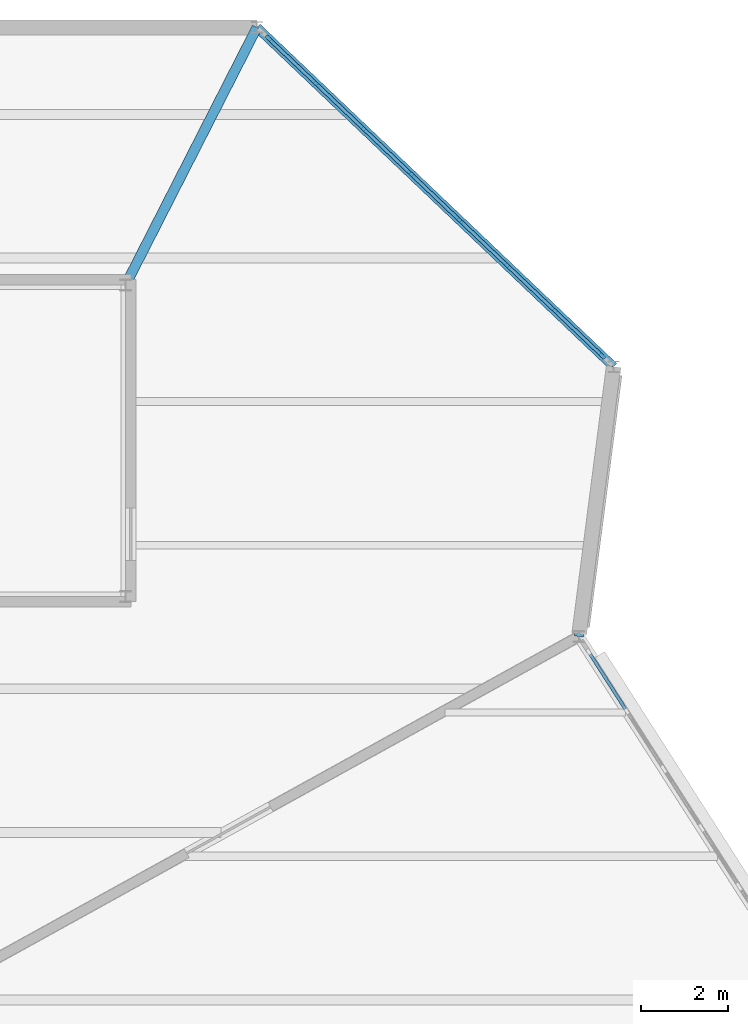
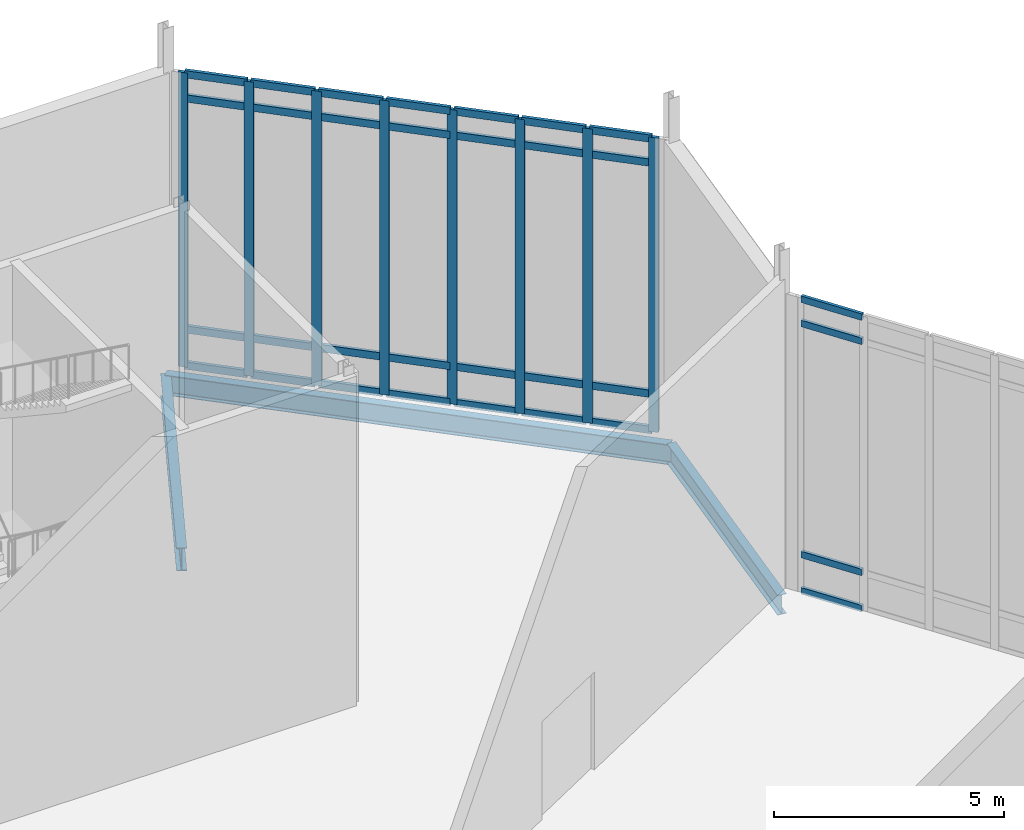
# One storey, part 39 of 66: 40 members, 3 beams, 2 elements without a shape of their own.
"""IFC4 building model written with IfcOpenShell, lengths in metres."""

from ifc_helpers import new_model, si_unit, direction, frame, origin, origin_2d, place, context, subcontext, project, spatial, rectangle, i_section, extrude, material, material_profile, profile_set, type_object, element, aggregate, save


model = new_model("IFC4")

# Units and contexts
model_context = context("Model", 3, precision=1e-05, world=origin(), true_north=direction((0.0, 1.0)))
body_context = subcontext(model_context, "Body", "Model", "MODEL_VIEW")
ifc_project = project(units=[si_unit("LENGTHUNIT", "METRE"), si_unit("AREAUNIT", "SQUARE_METRE"), si_unit("VOLUMEUNIT", "CUBIC_METRE"), si_unit("PLANEANGLEUNIT", "RADIAN"), si_unit("MASSUNIT", "GRAM", prefix="KILO")], contexts=[model_context])

# Site, building, storey
site_placement = place(None, origin())
site = spatial("IfcSite", under=ifc_project, at=site_placement, CompositionType="ELEMENT")
building_placement = place(site_placement, origin())
building = spatial("IfcBuilding", under=site, at=building_placement, Name="Tameran Prism Museum", CompositionType="ELEMENT")
storey_placement = place(building_placement, frame((0.0, 0.0, 19.800048828125)))
storey = spatial("IfcBuildingStorey", under=building, at=storey_placement, Name="L04", CompositionType="ELEMENT", Elevation=19.800048828125)

# Beams
ifc_material_1 = material(Name="Steel Grade 300PLUS (300 MPa)", Category="steel")
ifc_material_profile_1 = material_profile(ifc_material_1, i_section(OverallWidth=0.208984375, OverallDepth=0.532958984375, WebThickness=0.01025390625, FlangeThickness=0.015625, FilletRadius=0.013916015625, at=origin_2d()))
ifc_profile_set_1 = profile_set([ifc_material_profile_1])
beam_type_1 = type_object("IfcBeamType", Name="BM-SP530A", PredefinedType="SPANDREL", material=ifc_profile_set_1)
beam_1_placement = place(storey_placement, frame((135.699951171875, 104.199951171875, -0.506591796875), z_axis=(-0.724553857676, 0.689218185575, 0.0), x_axis=(-0.689218185575, -0.724553857676, 0.0)))
element("IfcBeam", 1, at=beam_1_placement, inside=storey, type_object=beam_type_1, Name="Perimeter Spandrel SP-1151", PredefinedType="SPANDREL", context=body_context, shape_type="SweptSolid", body=[
    extrude(i_section(OverallWidth=0.208984375, OverallDepth=0.532958984375, WebThickness=0.01025390625, FlangeThickness=0.015625, FilletRadius=0.013916015625, at=origin_2d()), origin(), (0.0, 0.0, 1.0), 11.317138671875),
])
ifc_material_2 = material(Name="Steel Grade 300PLUS (300 MPa)", Category="steel")
ifc_material_profile_2 = material_profile(ifc_material_2, i_section(OverallWidth=0.208984375, OverallDepth=0.528076171875, WebThickness=0.009521484375, FlangeThickness=0.01318359375, FilletRadius=0.013916015625, at=origin_2d()))
ifc_profile_set_2 = profile_set([ifc_material_profile_2])
beam_type_2 = type_object("IfcBeamType", Name="BM-SP530B", PredefinedType="SPANDREL", material=ifc_profile_set_2)
beam_2_placement = place(storey_placement, frame((134.89990234375, 98.0, -0.504150390625), z_axis=(0.127980011854, 0.991776747341, 0.0), x_axis=(-0.991776747341, 0.127980011854, 0.0)))
element("IfcBeam", 2, at=beam_2_placement, inside=storey, type_object=beam_type_2, Name="Perimeter Spandrel SP-1150", PredefinedType="SPANDREL", context=body_context, shape_type="SweptSolid", body=[
    extrude(i_section(OverallWidth=0.208984375, OverallDepth=0.528076171875, WebThickness=0.009521484375, FlangeThickness=0.01318359375, FilletRadius=0.013916015625, at=origin_2d()), origin(), (0.0, 0.0, 1.0), 6.25146484375),
])
ifc_material_3 = material(Name="Steel Grade 300PLUS (300 MPa)", Category="steel")
ifc_material_profile_3 = material_profile(ifc_material_3, i_section(OverallWidth=0.22900390625, OverallDepth=0.612060546875, WebThickness=0.011962890625, FlangeThickness=0.01953125, FilletRadius=0.013916015625, at=origin_2d()))
ifc_profile_set_3 = profile_set([ifc_material_profile_3])
beam_type_3 = type_object("IfcBeamType", Name="BM-UB610A", PredefinedType="BEAM", material=ifc_profile_set_3)
beam_3_placement = place(storey_placement, frame((124.47998046875, 106.080078125, -0.56005859375), z_axis=(0.454428700182, 0.890783114148, 0.0), x_axis=(-0.890783114148, 0.454428700182, 0.0)))
element("IfcBeam", 3, at=beam_3_placement, inside=storey, type_object=beam_type_3, Name="Frame Tie Girder FG-1402", PredefinedType="BEAM", context=body_context, shape_type="SweptSolid", body=[
    extrude(i_section(OverallWidth=0.22900390625, OverallDepth=0.612060546875, WebThickness=0.011962890625, FlangeThickness=0.01953125, FilletRadius=0.013916015625, at=origin_2d()), origin(), (0.0, 0.0, 1.0), 6.645751953125),
])

# Curtain wall, members
ifc_material_4 = material(Name="Anodised Aluminium 6063-T6 and Cyclone Solar Glass", Category="aluminium")
curtain_wall_type_1 = type_object("IfcCurtainWallType", Name="CW-FAC-1062x782", PredefinedType="USERDEFINED", material=ifc_material_4)
curtain_wall_1_placement = place(storey_placement, origin())
curtain_wall_1 = element("IfcCurtainWall", 4, at=curtain_wall_1_placement, inside=storey, type_object=curtain_wall_type_1, Name="Unitised Curtain Wall CW-154", ObjectType="UNITISED CURTAIN WALL", PredefinedType="USERDEFINED")
ifc_material_5 = material(Name="Anodised Aluminium Alloy 6063-T6", Category="aluminium")
ifc_material_profile_4 = material_profile(ifc_material_5, rectangle(XDim=0.080078125, YDim=0.219970703125, at=origin_2d()))
ifc_profile_set_4 = profile_set([ifc_material_profile_4])
member_type_1 = type_object("IfcMemberType", Name="CW-MUL-D", PredefinedType="MULLION", material=ifc_profile_set_4)
member_1_placement = place(storey_placement, frame((127.782958984375, 111.7314453125, 0.0), z_axis=(0.0, 0.0, 1.0), x_axis=(0.689274065662, 0.724500698692, 0.0)))
member_1 = element("IfcMember", 5, at=member_1_placement, type_object=member_type_1, Name="CW-154 mullion 1", PredefinedType="MULLION", context=body_context, shape_type="SweptSolid", body=[
    extrude(rectangle(XDim=0.080078125, YDim=0.219970703125, at=origin_2d()), origin(), (0.0, 0.0, 1.0), 7.820068359375),
])
member_2_placement = place(storey_placement, frame((128.852783203125, 110.713623046875, 0.0), z_axis=(0.0, 0.0, 1.0), x_axis=(0.689274065662, 0.724500698692, 0.0)))
member_2 = element("IfcMember", 6, at=member_2_placement, type_object=member_type_1, Name="CW-154 mullion 2", PredefinedType="MULLION", context=body_context, shape_type="SweptSolid", body=[
    extrude(rectangle(XDim=0.080078125, YDim=0.219970703125, at=origin_2d()), origin(), (0.0, 0.0, 1.0), 7.820068359375),
])
member_3_placement = place(storey_placement, frame((129.95166015625, 109.668212890625, 0.0), z_axis=(0.0, 0.0, 1.0), x_axis=(0.689274065662, 0.724500698692, 0.0)))
member_3 = element("IfcMember", 7, at=member_3_placement, type_object=member_type_1, Name="CW-154 mullion 3", PredefinedType="MULLION", context=body_context, shape_type="SweptSolid", body=[
    extrude(rectangle(XDim=0.080078125, YDim=0.219970703125, at=origin_2d()), origin(), (0.0, 0.0, 1.0), 7.820068359375),
])
member_4_placement = place(storey_placement, frame((131.050537109375, 108.622802734375, 0.0), z_axis=(0.0, 0.0, 1.0), x_axis=(0.689274065662, 0.724500698692, 0.0)))
member_4 = element("IfcMember", 8, at=member_4_placement, type_object=member_type_1, Name="CW-154 mullion 4", PredefinedType="MULLION", context=body_context, shape_type="SweptSolid", body=[
    extrude(rectangle(XDim=0.080078125, YDim=0.219970703125, at=origin_2d()), origin(), (0.0, 0.0, 1.0), 7.820068359375),
])
member_5_placement = place(storey_placement, frame((132.1494140625, 107.577392578125, 0.0), z_axis=(0.0, 0.0, 1.0), x_axis=(0.689274065662, 0.724500698692, 0.0)))
member_5 = element("IfcMember", 9, at=member_5_placement, type_object=member_type_1, Name="CW-154 mullion 5", PredefinedType="MULLION", context=body_context, shape_type="SweptSolid", body=[
    extrude(rectangle(XDim=0.080078125, YDim=0.219970703125, at=origin_2d()), origin(), (0.0, 0.0, 1.0), 7.820068359375),
])
member_6_placement = place(storey_placement, frame((133.248291015625, 106.53173828125, 0.0), z_axis=(0.0, 0.0, 1.0), x_axis=(0.689274065662, 0.724500698692, 0.0)))
member_6 = element("IfcMember", 10, at=member_6_placement, type_object=member_type_1, Name="CW-154 mullion 6", PredefinedType="MULLION", context=body_context, shape_type="SweptSolid", body=[
    extrude(rectangle(XDim=0.080078125, YDim=0.219970703125, at=origin_2d()), origin(), (0.0, 0.0, 1.0), 7.820068359375),
])
member_7_placement = place(storey_placement, frame((134.34716796875, 105.486328125, 0.0), z_axis=(0.0, 0.0, 1.0), x_axis=(0.689274065662, 0.724500698692, 0.0)))
member_7 = element("IfcMember", 11, at=member_7_placement, type_object=member_type_1, Name="CW-154 mullion 7", PredefinedType="MULLION", context=body_context, shape_type="SweptSolid", body=[
    extrude(rectangle(XDim=0.080078125, YDim=0.219970703125, at=origin_2d()), origin(), (0.0, 0.0, 1.0), 7.820068359375),
])
member_8_placement = place(storey_placement, frame((135.4169921875, 104.468505859375, 0.0), z_axis=(0.0, 0.0, 1.0), x_axis=(0.689274065662, 0.724500698692, 0.0)))
member_8 = element("IfcMember", 12, at=member_8_placement, type_object=member_type_1, Name="CW-154 mullion 8", PredefinedType="MULLION", context=body_context, shape_type="SweptSolid", body=[
    extrude(rectangle(XDim=0.080078125, YDim=0.219970703125, at=origin_2d()), origin(), (0.0, 0.0, 1.0), 7.820068359375),
])

ifc_material_6 = material(Name="Anodised Aluminium 6063-T6 and Cyclone Solar Glass", Category="aluminium")
curtain_wall_type_2 = type_object("IfcCurtainWallType", Name="CW-FAC-1444x782", PredefinedType="USERDEFINED", material=ifc_material_6)
curtain_wall_2_placement = place(storey_placement, origin())
curtain_wall_2 = element("IfcCurtainWall", 13, at=curtain_wall_2_placement, inside=storey, type_object=curtain_wall_type_2, Name="Unitised Curtain Wall CW-153", ObjectType="UNITISED CURTAIN WALL", PredefinedType="USERDEFINED")
ifc_material_7 = material(Name="Anodised Aluminium Alloy 6063-T6", Category="aluminium")
ifc_material_profile_5 = material_profile(ifc_material_7, rectangle(XDim=0.074951171875, YDim=0.175048828125, at=origin_2d()))
ifc_profile_set_5 = profile_set([ifc_material_profile_5])
member_type_2 = type_object("IfcMemberType", Name="CW-TRN-C", PredefinedType="USERDEFINED", material=ifc_profile_set_5)
member_9_placement = place(storey_placement, frame((135.161376953125, 97.591796875, 0.037353515625), z_axis=(0.539466869247, -0.84200682716, 0.0), x_axis=(0.84200682716, 0.539466869247, 0.0)))
member_9 = element("IfcMember", 14, at=member_9_placement, type_object=member_type_2, Name="CW-153 transom 1.1", ObjectType="TRANSOM", PredefinedType="USERDEFINED", context=body_context, shape_type="SweptSolid", body=[
    extrude(rectangle(XDim=0.074951171875, YDim=0.175048828125, at=origin_2d()), origin(), (0.0, 0.0, 1.0), 1.4921875),
])
member_10_placement = place(storey_placement, frame((135.161376953125, 97.591796875, 1.0), z_axis=(0.539466869247, -0.84200682716, 0.0), x_axis=(0.84200682716, 0.539466869247, 0.0)))
member_10 = element("IfcMember", 15, at=member_10_placement, type_object=member_type_2, Name="CW-153 transom 1.2", ObjectType="TRANSOM", PredefinedType="USERDEFINED", context=body_context, shape_type="SweptSolid", body=[
    extrude(rectangle(XDim=0.074951171875, YDim=0.175048828125, at=origin_2d()), origin(), (0.0, 0.0, 1.0), 1.4921875),
])
member_11_placement = place(storey_placement, frame((135.161376953125, 97.591796875, 7.139892578125), z_axis=(0.539466869247, -0.84200682716, 0.0), x_axis=(0.84200682716, 0.539466869247, 0.0)))
member_11 = element("IfcMember", 16, at=member_11_placement, type_object=member_type_2, Name="CW-153 transom 1.3", ObjectType="TRANSOM", PredefinedType="USERDEFINED", context=body_context, shape_type="SweptSolid", body=[
    extrude(rectangle(XDim=0.074951171875, YDim=0.175048828125, at=origin_2d()), origin(), (0.0, 0.0, 1.0), 1.4921875),
])
member_12_placement = place(storey_placement, frame((135.161376953125, 97.591796875, 7.782470703125), z_axis=(0.539466869247, -0.84200682716, 0.0), x_axis=(0.84200682716, 0.539466869247, 0.0)))
member_12 = element("IfcMember", 17, at=member_12_placement, type_object=member_type_2, Name="CW-153 transom 1.4", ObjectType="TRANSOM", PredefinedType="USERDEFINED", context=body_context, shape_type="SweptSolid", body=[
    extrude(rectangle(XDim=0.074951171875, YDim=0.175048828125, at=origin_2d()), origin(), (0.0, 0.0, 1.0), 1.4921875),
])
aggregate(curtain_wall_2, [member_9, member_10, member_11, member_12])

# Member
ifc_material_8 = material(Name="Anodised Aluminium Alloy 6063-T6", Category="aluminium")
ifc_material_profile_6 = material_profile(ifc_material_8, rectangle(XDim=0.080078125, YDim=0.195068359375, at=origin_2d()))
ifc_profile_set_6 = profile_set([ifc_material_profile_6])
member_type_3 = type_object("IfcMemberType", Name="CW-TRN-D", PredefinedType="USERDEFINED", material=ifc_profile_set_6)
member_13_placement = place(storey_placement, frame((127.81201171875, 111.703857421875, 0.0400390625), z_axis=(0.724541029231, -0.689231671473, 0.0), x_axis=(0.689231671473, 0.724541029231, 0.0)))
member_13 = element("IfcMember", 18, at=member_13_placement, type_object=member_type_3, Name="CW-154 transom 1.1", ObjectType="TRANSOM", PredefinedType="USERDEFINED", context=body_context, shape_type="SweptSolid", body=[
    extrude(rectangle(XDim=0.080078125, YDim=0.195068359375, at=origin_2d()), origin(), (0.0, 0.0, 1.0), 1.396728515625),
])

member_14_placement = place(storey_placement, frame((127.81201171875, 111.703857421875, 1.0), z_axis=(0.724541029231, -0.689231671473, 0.0), x_axis=(0.689231671473, 0.724541029231, 0.0)))
member_14 = element("IfcMember", 19, at=member_14_placement, type_object=member_type_3, Name="CW-154 transom 1.2", ObjectType="TRANSOM", PredefinedType="USERDEFINED", context=body_context, shape_type="SweptSolid", body=[
    extrude(rectangle(XDim=0.080078125, YDim=0.195068359375, at=origin_2d()), origin(), (0.0, 0.0, 1.0), 1.396728515625),
])

member_15_placement = place(storey_placement, frame((127.81201171875, 111.703857421875, 7.139892578125), z_axis=(0.724541029231, -0.689231671473, 0.0), x_axis=(0.689231671473, 0.724541029231, 0.0)))
member_15 = element("IfcMember", 20, at=member_15_placement, type_object=member_type_3, Name="CW-154 transom 1.3", ObjectType="TRANSOM", PredefinedType="USERDEFINED", context=body_context, shape_type="SweptSolid", body=[
    extrude(rectangle(XDim=0.080078125, YDim=0.195068359375, at=origin_2d()), origin(), (0.0, 0.0, 1.0), 1.396728515625),
])

member_16_placement = place(storey_placement, frame((127.81201171875, 111.703857421875, 7.780029296875), z_axis=(0.724541029231, -0.689231671473, 0.0), x_axis=(0.689231671473, 0.724541029231, 0.0)))
member_16 = element("IfcMember", 21, at=member_16_placement, type_object=member_type_3, Name="CW-154 transom 1.4", ObjectType="TRANSOM", PredefinedType="USERDEFINED", context=body_context, shape_type="SweptSolid", body=[
    extrude(rectangle(XDim=0.080078125, YDim=0.195068359375, at=origin_2d()), origin(), (0.0, 0.0, 1.0), 1.396728515625),
])

member_17_placement = place(storey_placement, frame((128.8818359375, 110.68603515625, 0.0400390625), z_axis=(0.72455806169, -0.689213765998, 0.0), x_axis=(0.689213765998, 0.72455806169, 0.0)))
member_17 = element("IfcMember", 22, at=member_17_placement, type_object=member_type_3, Name="CW-154 transom 2.1", ObjectType="TRANSOM", PredefinedType="USERDEFINED", context=body_context, shape_type="SweptSolid", body=[
    extrude(rectangle(XDim=0.080078125, YDim=0.195068359375, at=origin_2d()), origin(), (0.0, 0.0, 1.0), 1.436767578125),
])

member_18_placement = place(storey_placement, frame((128.8818359375, 110.68603515625, 1.0), z_axis=(0.72455806169, -0.689213765998, 0.0), x_axis=(0.689213765998, 0.72455806169, 0.0)))
member_18 = element("IfcMember", 23, at=member_18_placement, type_object=member_type_3, Name="CW-154 transom 2.2", ObjectType="TRANSOM", PredefinedType="USERDEFINED", context=body_context, shape_type="SweptSolid", body=[
    extrude(rectangle(XDim=0.080078125, YDim=0.195068359375, at=origin_2d()), origin(), (0.0, 0.0, 1.0), 1.436767578125),
])

member_19_placement = place(storey_placement, frame((128.8818359375, 110.68603515625, 7.139892578125), z_axis=(0.72455806169, -0.689213765998, 0.0), x_axis=(0.689213765998, 0.72455806169, 0.0)))
member_19 = element("IfcMember", 24, at=member_19_placement, type_object=member_type_3, Name="CW-154 transom 2.3", ObjectType="TRANSOM", PredefinedType="USERDEFINED", context=body_context, shape_type="SweptSolid", body=[
    extrude(rectangle(XDim=0.080078125, YDim=0.195068359375, at=origin_2d()), origin(), (0.0, 0.0, 1.0), 1.436767578125),
])

member_20_placement = place(storey_placement, frame((128.8818359375, 110.68603515625, 7.780029296875), z_axis=(0.72455806169, -0.689213765998, 0.0), x_axis=(0.689213765998, 0.72455806169, 0.0)))
member_20 = element("IfcMember", 25, at=member_20_placement, type_object=member_type_3, Name="CW-154 transom 2.4", ObjectType="TRANSOM", PredefinedType="USERDEFINED", context=body_context, shape_type="SweptSolid", body=[
    extrude(rectangle(XDim=0.080078125, YDim=0.195068359375, at=origin_2d()), origin(), (0.0, 0.0, 1.0), 1.436767578125),
])

member_21_placement = place(storey_placement, frame((129.980712890625, 109.640625, 0.0400390625), z_axis=(0.724477329991, -0.689298627831, 0.0), x_axis=(0.689298627831, 0.724477329991, 0.0)))
member_21 = element("IfcMember", 26, at=member_21_placement, type_object=member_type_3, Name="CW-154 transom 3.1", ObjectType="TRANSOM", PredefinedType="USERDEFINED", context=body_context, shape_type="SweptSolid", body=[
    extrude(rectangle(XDim=0.080078125, YDim=0.195068359375, at=origin_2d()), origin(), (0.0, 0.0, 1.0), 1.4365234375),
])

member_22_placement = place(storey_placement, frame((129.980712890625, 109.640625, 1.0), z_axis=(0.724477329991, -0.689298627831, 0.0), x_axis=(0.689298627831, 0.724477329991, 0.0)))
member_22 = element("IfcMember", 27, at=member_22_placement, type_object=member_type_3, Name="CW-154 transom 3.2", ObjectType="TRANSOM", PredefinedType="USERDEFINED", context=body_context, shape_type="SweptSolid", body=[
    extrude(rectangle(XDim=0.080078125, YDim=0.195068359375, at=origin_2d()), origin(), (0.0, 0.0, 1.0), 1.4365234375),
])

member_23_placement = place(storey_placement, frame((129.980712890625, 109.640625, 7.139892578125), z_axis=(0.724477329991, -0.689298627831, 0.0), x_axis=(0.689298627831, 0.724477329991, 0.0)))
member_23 = element("IfcMember", 28, at=member_23_placement, type_object=member_type_3, Name="CW-154 transom 3.3", ObjectType="TRANSOM", PredefinedType="USERDEFINED", context=body_context, shape_type="SweptSolid", body=[
    extrude(rectangle(XDim=0.080078125, YDim=0.195068359375, at=origin_2d()), origin(), (0.0, 0.0, 1.0), 1.4365234375),
])

member_24_placement = place(storey_placement, frame((129.980712890625, 109.640625, 7.780029296875), z_axis=(0.724477329991, -0.689298627831, 0.0), x_axis=(0.689298627831, 0.724477329991, 0.0)))
member_24 = element("IfcMember", 29, at=member_24_placement, type_object=member_type_3, Name="CW-154 transom 3.4", ObjectType="TRANSOM", PredefinedType="USERDEFINED", context=body_context, shape_type="SweptSolid", body=[
    extrude(rectangle(XDim=0.080078125, YDim=0.195068359375, at=origin_2d()), origin(), (0.0, 0.0, 1.0), 1.4365234375),
])

member_25_placement = place(storey_placement, frame((131.07958984375, 108.59521484375, 0.0400390625), z_axis=(0.724392466889, -0.689387810971, 0.0), x_axis=(0.689387810971, 0.724392466889, 0.0)))
member_25 = element("IfcMember", 30, at=member_25_placement, type_object=member_type_3, Name="CW-154 transom 4.1", ObjectType="TRANSOM", PredefinedType="USERDEFINED", context=body_context, shape_type="SweptSolid", body=[
    extrude(rectangle(XDim=0.080078125, YDim=0.195068359375, at=origin_2d()), origin(), (0.0, 0.0, 1.0), 1.436767578125),
])

member_26_placement = place(storey_placement, frame((131.07958984375, 108.59521484375, 1.0), z_axis=(0.724392466889, -0.689387810971, 0.0), x_axis=(0.689387810971, 0.724392466889, 0.0)))
member_26 = element("IfcMember", 31, at=member_26_placement, type_object=member_type_3, Name="CW-154 transom 4.2", ObjectType="TRANSOM", PredefinedType="USERDEFINED", context=body_context, shape_type="SweptSolid", body=[
    extrude(rectangle(XDim=0.080078125, YDim=0.195068359375, at=origin_2d()), origin(), (0.0, 0.0, 1.0), 1.436767578125),
])

member_27_placement = place(storey_placement, frame((131.07958984375, 108.59521484375, 7.139892578125), z_axis=(0.724392466889, -0.689387810971, 0.0), x_axis=(0.689387810971, 0.724392466889, 0.0)))
member_27 = element("IfcMember", 32, at=member_27_placement, type_object=member_type_3, Name="CW-154 transom 4.3", ObjectType="TRANSOM", PredefinedType="USERDEFINED", context=body_context, shape_type="SweptSolid", body=[
    extrude(rectangle(XDim=0.080078125, YDim=0.195068359375, at=origin_2d()), origin(), (0.0, 0.0, 1.0), 1.436767578125),
])

member_28_placement = place(storey_placement, frame((131.07958984375, 108.59521484375, 7.780029296875), z_axis=(0.724392466889, -0.689387810971, 0.0), x_axis=(0.689387810971, 0.724392466889, 0.0)))
member_28 = element("IfcMember", 33, at=member_28_placement, type_object=member_type_3, Name="CW-154 transom 4.4", ObjectType="TRANSOM", PredefinedType="USERDEFINED", context=body_context, shape_type="SweptSolid", body=[
    extrude(rectangle(XDim=0.080078125, YDim=0.195068359375, at=origin_2d()), origin(), (0.0, 0.0, 1.0), 1.436767578125),
])

member_29_placement = place(storey_placement, frame((132.178466796875, 107.5498046875, 0.0400390625), z_axis=(0.724392466889, -0.689387810971, 0.0), x_axis=(0.689387810971, 0.724392466889, 0.0)))
member_29 = element("IfcMember", 34, at=member_29_placement, type_object=member_type_3, Name="CW-154 transom 5.1", ObjectType="TRANSOM", PredefinedType="USERDEFINED", context=body_context, shape_type="SweptSolid", body=[
    extrude(rectangle(XDim=0.080078125, YDim=0.195068359375, at=origin_2d()), origin(), (0.0, 0.0, 1.0), 1.436767578125),
])

member_30_placement = place(storey_placement, frame((132.178466796875, 107.5498046875, 1.0), z_axis=(0.724392466889, -0.689387810971, 0.0), x_axis=(0.689387810971, 0.724392466889, 0.0)))
member_30 = element("IfcMember", 35, at=member_30_placement, type_object=member_type_3, Name="CW-154 transom 5.2", ObjectType="TRANSOM", PredefinedType="USERDEFINED", context=body_context, shape_type="SweptSolid", body=[
    extrude(rectangle(XDim=0.080078125, YDim=0.195068359375, at=origin_2d()), origin(), (0.0, 0.0, 1.0), 1.436767578125),
])

member_31_placement = place(storey_placement, frame((132.178466796875, 107.5498046875, 7.139892578125), z_axis=(0.724392466889, -0.689387810971, 0.0), x_axis=(0.689387810971, 0.724392466889, 0.0)))
member_31 = element("IfcMember", 36, at=member_31_placement, type_object=member_type_3, Name="CW-154 transom 5.3", ObjectType="TRANSOM", PredefinedType="USERDEFINED", context=body_context, shape_type="SweptSolid", body=[
    extrude(rectangle(XDim=0.080078125, YDim=0.195068359375, at=origin_2d()), origin(), (0.0, 0.0, 1.0), 1.436767578125),
])

member_32_placement = place(storey_placement, frame((132.178466796875, 107.5498046875, 7.780029296875), z_axis=(0.724392466889, -0.689387810971, 0.0), x_axis=(0.689387810971, 0.724392466889, 0.0)))
member_32 = element("IfcMember", 37, at=member_32_placement, type_object=member_type_3, Name="CW-154 transom 5.4", ObjectType="TRANSOM", PredefinedType="USERDEFINED", context=body_context, shape_type="SweptSolid", body=[
    extrude(rectangle(XDim=0.080078125, YDim=0.195068359375, at=origin_2d()), origin(), (0.0, 0.0, 1.0), 1.436767578125),
])

member_33_placement = place(storey_placement, frame((133.27734375, 106.50439453125, 0.0400390625), z_axis=(0.724392466889, -0.689387810971, 0.0), x_axis=(0.689387810971, 0.724392466889, 0.0)))
member_33 = element("IfcMember", 38, at=member_33_placement, type_object=member_type_3, Name="CW-154 transom 6.1", ObjectType="TRANSOM", PredefinedType="USERDEFINED", context=body_context, shape_type="SweptSolid", body=[
    extrude(rectangle(XDim=0.080078125, YDim=0.195068359375, at=origin_2d()), origin(), (0.0, 0.0, 1.0), 1.436767578125),
])

member_34_placement = place(storey_placement, frame((133.27734375, 106.50439453125, 1.0), z_axis=(0.724392466889, -0.689387810971, 0.0), x_axis=(0.689387810971, 0.724392466889, 0.0)))
member_34 = element("IfcMember", 39, at=member_34_placement, type_object=member_type_3, Name="CW-154 transom 6.2", ObjectType="TRANSOM", PredefinedType="USERDEFINED", context=body_context, shape_type="SweptSolid", body=[
    extrude(rectangle(XDim=0.080078125, YDim=0.195068359375, at=origin_2d()), origin(), (0.0, 0.0, 1.0), 1.436767578125),
])

member_35_placement = place(storey_placement, frame((133.27734375, 106.50439453125, 7.139892578125), z_axis=(0.724392466889, -0.689387810971, 0.0), x_axis=(0.689387810971, 0.724392466889, 0.0)))
member_35 = element("IfcMember", 40, at=member_35_placement, type_object=member_type_3, Name="CW-154 transom 6.3", ObjectType="TRANSOM", PredefinedType="USERDEFINED", context=body_context, shape_type="SweptSolid", body=[
    extrude(rectangle(XDim=0.080078125, YDim=0.195068359375, at=origin_2d()), origin(), (0.0, 0.0, 1.0), 1.436767578125),
])

member_36_placement = place(storey_placement, frame((133.27734375, 106.50439453125, 7.780029296875), z_axis=(0.724392466889, -0.689387810971, 0.0), x_axis=(0.689387810971, 0.724392466889, 0.0)))
member_36 = element("IfcMember", 41, at=member_36_placement, type_object=member_type_3, Name="CW-154 transom 6.4", ObjectType="TRANSOM", PredefinedType="USERDEFINED", context=body_context, shape_type="SweptSolid", body=[
    extrude(rectangle(XDim=0.080078125, YDim=0.195068359375, at=origin_2d()), origin(), (0.0, 0.0, 1.0), 1.436767578125),
])

member_37_placement = place(storey_placement, frame((134.376220703125, 105.458740234375, 0.0400390625), z_axis=(0.72445797698, -0.689318967961, 0.0), x_axis=(0.689318967961, 0.72445797698, 0.0)))
member_37 = element("IfcMember", 42, at=member_37_placement, type_object=member_type_3, Name="CW-154 transom 7.1", ObjectType="TRANSOM", PredefinedType="USERDEFINED", context=body_context, shape_type="SweptSolid", body=[
    extrude(rectangle(XDim=0.080078125, YDim=0.195068359375, at=origin_2d()), origin(), (0.0, 0.0, 1.0), 1.396484375),
])

member_38_placement = place(storey_placement, frame((134.376220703125, 105.458740234375, 1.0), z_axis=(0.72445797698, -0.689318967961, 0.0), x_axis=(0.689318967961, 0.72445797698, 0.0)))
member_38 = element("IfcMember", 43, at=member_38_placement, type_object=member_type_3, Name="CW-154 transom 7.2", ObjectType="TRANSOM", PredefinedType="USERDEFINED", context=body_context, shape_type="SweptSolid", body=[
    extrude(rectangle(XDim=0.080078125, YDim=0.195068359375, at=origin_2d()), origin(), (0.0, 0.0, 1.0), 1.396484375),
])

member_39_placement = place(storey_placement, frame((134.376220703125, 105.458740234375, 7.139892578125), z_axis=(0.72445797698, -0.689318967961, 0.0), x_axis=(0.689318967961, 0.72445797698, 0.0)))
member_39 = element("IfcMember", 44, at=member_39_placement, type_object=member_type_3, Name="CW-154 transom 7.3", ObjectType="TRANSOM", PredefinedType="USERDEFINED", context=body_context, shape_type="SweptSolid", body=[
    extrude(rectangle(XDim=0.080078125, YDim=0.195068359375, at=origin_2d()), origin(), (0.0, 0.0, 1.0), 1.396484375),
])

member_40_placement = place(storey_placement, frame((134.376220703125, 105.458740234375, 7.780029296875), z_axis=(0.72445797698, -0.689318967961, 0.0), x_axis=(0.689318967961, 0.72445797698, 0.0)))
member_40 = element("IfcMember", 45, at=member_40_placement, type_object=member_type_3, Name="CW-154 transom 7.4", ObjectType="TRANSOM", PredefinedType="USERDEFINED", context=body_context, shape_type="SweptSolid", body=[
    extrude(rectangle(XDim=0.080078125, YDim=0.195068359375, at=origin_2d()), origin(), (0.0, 0.0, 1.0), 1.396484375),
])

aggregate(curtain_wall_1, [member_1, member_2, member_3, member_4, member_5, member_6, member_7, member_8, member_13, member_14, member_15, member_16, member_17, member_18, member_19, member_20, member_21, member_22, member_23, member_24, member_25, member_26, member_27, member_28, member_29, member_30, member_31, member_32, member_33, member_34, member_35, member_36, member_37, member_38, member_39, member_40])

save(model, "model.ifc")
